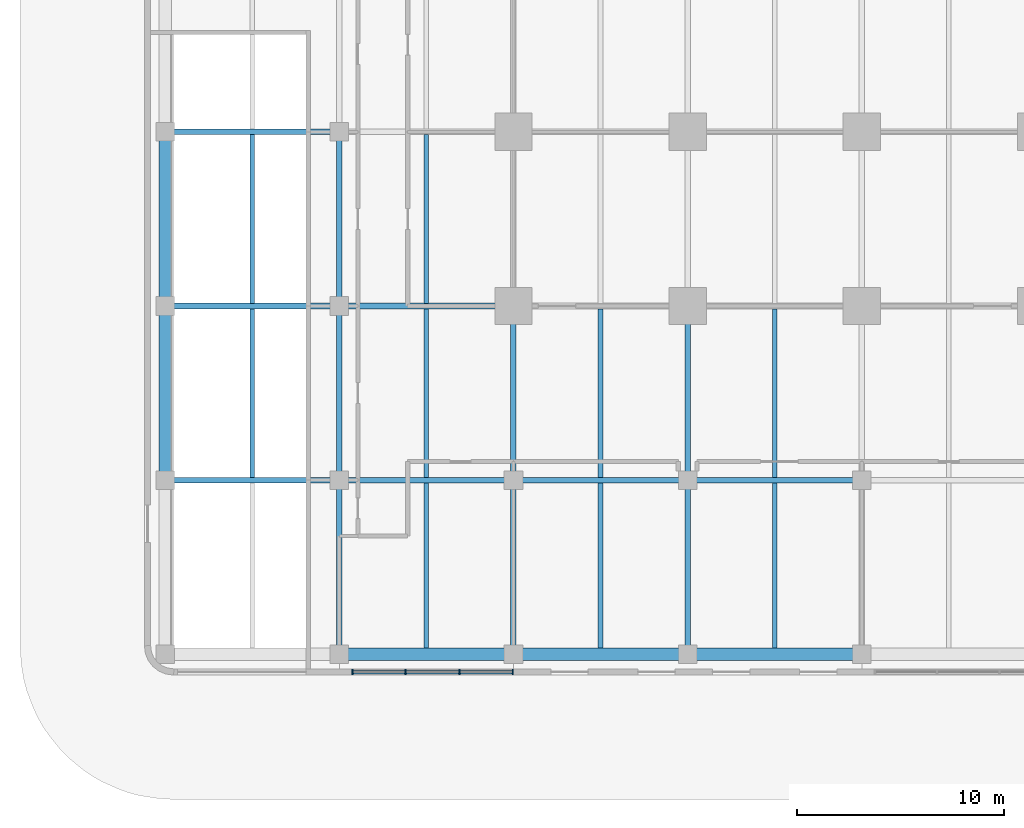
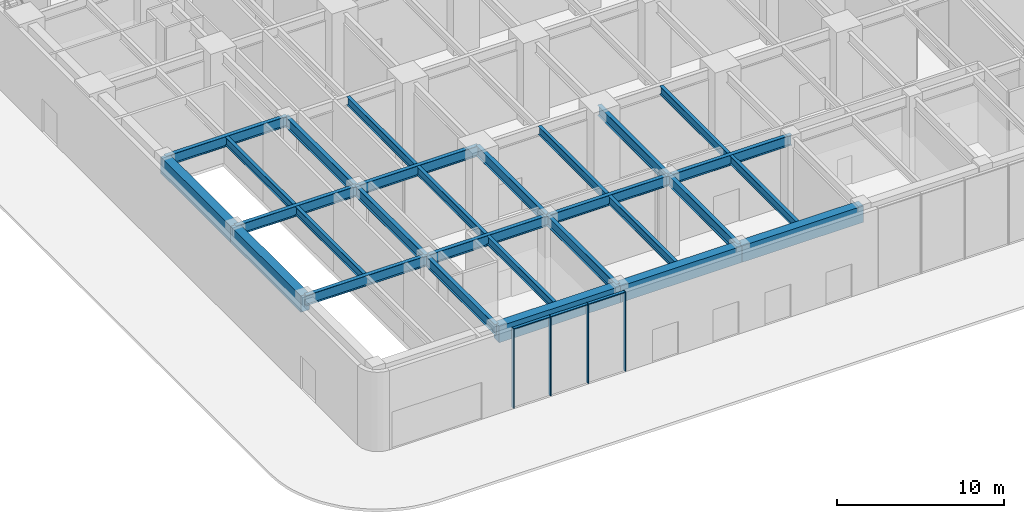
# One storey, part 2 of 21: 28 beams, 7 members, 1 element without a shape of its own.
"""IFC4 building model written with IfcOpenShell, lengths in metres."""

from ifc_helpers import new_model, si_unit, direction, frame, origin, origin_2d, place, context, subcontext, project, spatial, rectangle, i_section, extrude, material, material_profile, profile_set, type_object, element, aggregate, save


model = new_model("IFC4")

# Units and contexts
model_context = context("Model", 3, precision=1e-05, world=origin(), true_north=direction((0.0, 1.0)))
body_context = subcontext(model_context, "Body", "Model", "MODEL_VIEW")
ifc_project = project(units=[si_unit("LENGTHUNIT", "METRE"), si_unit("AREAUNIT", "SQUARE_METRE"), si_unit("VOLUMEUNIT", "CUBIC_METRE"), si_unit("PLANEANGLEUNIT", "RADIAN"), si_unit("MASSUNIT", "GRAM", prefix="KILO")], contexts=[model_context])

# Site, building, storey
site_placement = place(None, origin())
site = spatial("IfcSite", under=ifc_project, at=site_placement, CompositionType="ELEMENT")
building_placement = place(site_placement, origin())
building = spatial("IfcBuilding", under=site, at=building_placement, Name="Torre Alcanfor", CompositionType="ELEMENT")
storey_placement = place(building_placement, origin())
storey = spatial("IfcBuildingStorey", under=building, at=storey_placement, Name="L00", CompositionType="ELEMENT", Elevation=0.0)

# Curtain wall, members
ifc_material_1 = material(Name="Aluminium and glass", Category="aluminium")
curtain_wall_type = type_object("IfcCurtainWallType", Name="CW-C ground floor storefront glazing", PredefinedType="NOTDEFINED", material=ifc_material_1)
curtain_wall_placement = place(storey_placement, origin())
curtain_wall = element("IfcCurtainWall", 1, at=curtain_wall_placement, inside=storey, type_object=curtain_wall_type, Name="Curtain wall CW-C L00 S 2", PredefinedType="NOTDEFINED")
ifc_material_2 = material(Name="Extruded aluminium", Category="aluminium")
ifc_material_profile_1 = material_profile(ifc_material_2, rectangle(XDim=0.25, YDim=0.06494140625, at=origin_2d()), Name="CW-C mullion 65x250")
ifc_profile_set_1 = profile_set([ifc_material_profile_1], Name="Extruded aluminium")
member_type_1 = type_object("IfcMemberType", Name="CW-C mullion 65x250", PredefinedType="MULLION", material=ifc_profile_set_1)
member_1_placement = place(storey_placement, frame((9.032470703125, -17.64990234375, 0.0), z_axis=(0.0, 0.0, 1.0), x_axis=(0.0, 1.0, 0.0)))
member_1 = element("IfcMember", 2, at=member_1_placement, type_object=member_type_1, Name="CW-C mullion 1", PredefinedType="MULLION", context=body_context, shape_type="SweptSolid", body=[
    extrude(rectangle(XDim=0.25, YDim=0.06494140625, at=origin_2d()), origin(), (0.0, 0.0, 1.0), 5.800048828125),
])
member_2_placement = place(storey_placement, frame((11.60009765625, -17.64990234375, 0.0), z_axis=(0.0, 0.0, 1.0), x_axis=(0.0, 1.0, 0.0)))
member_2 = element("IfcMember", 3, at=member_2_placement, type_object=member_type_1, Name="CW-C mullion 2", PredefinedType="MULLION", context=body_context, shape_type="SweptSolid", body=[
    extrude(rectangle(XDim=0.25, YDim=0.06494140625, at=origin_2d()), origin(), (0.0, 0.0, 1.0), 5.800048828125),
])
member_3_placement = place(storey_placement, frame((14.199951171875, -17.64990234375, 0.0), z_axis=(0.0, 0.0, 1.0), x_axis=(0.0, 1.0, 0.0)))
member_3 = element("IfcMember", 4, at=member_3_placement, type_object=member_type_1, Name="CW-C mullion 3", PredefinedType="MULLION", context=body_context, shape_type="SweptSolid", body=[
    extrude(rectangle(XDim=0.25, YDim=0.06494140625, at=origin_2d()), origin(), (0.0, 0.0, 1.0), 5.800048828125),
])
member_4_placement = place(storey_placement, frame((16.767578125, -17.64990234375, 0.0), z_axis=(0.0, 0.0, 1.0), x_axis=(0.0, 1.0, 0.0)))
member_4 = element("IfcMember", 5, at=member_4_placement, type_object=member_type_1, Name="CW-C mullion 4", PredefinedType="MULLION", context=body_context, shape_type="SweptSolid", body=[
    extrude(rectangle(XDim=0.25, YDim=0.06494140625, at=origin_2d()), origin(), (0.0, 0.0, 1.0), 5.800048828125),
])
ifc_material_3 = material(Name="Extruded aluminium", Category="aluminium")
ifc_material_profile_2 = material_profile(ifc_material_3, rectangle(XDim=0.199951171875, YDim=0.06494140625, at=origin_2d()), Name="CW-C transom 200x65")
ifc_profile_set_2 = profile_set([ifc_material_profile_2], Name="Extruded aluminium")
member_type_2 = type_object("IfcMemberType", Name="CW-C transom 65x200", PredefinedType="USERDEFINED", material=ifc_profile_set_2)
member_5_placement = place(storey_placement, frame((9.06494140625, -17.64990234375, 5.767578125), z_axis=(1.0, 0.0, 0.0), x_axis=(0.0, 1.0, 0.0)))
member_5 = element("IfcMember", 6, at=member_5_placement, type_object=member_type_2, Name="CW-C transom 1.2", ObjectType="TRANSOM", PredefinedType="USERDEFINED", context=body_context, shape_type="SweptSolid", body=[
    extrude(rectangle(XDim=0.199951171875, YDim=0.06494140625, at=origin_2d()), origin(), (0.0, 0.0, 1.0), 2.50244140625),
])
member_6_placement = place(storey_placement, frame((11.632568359375, -17.64990234375, 5.767578125), z_axis=(1.0, 0.0, 0.0), x_axis=(0.0, 1.0, 0.0)))
member_6 = element("IfcMember", 7, at=member_6_placement, type_object=member_type_2, Name="CW-C transom 2.2", ObjectType="TRANSOM", PredefinedType="USERDEFINED", context=body_context, shape_type="SweptSolid", body=[
    extrude(rectangle(XDim=0.199951171875, YDim=0.06494140625, at=origin_2d()), origin(), (0.0, 0.0, 1.0), 2.534912109375),
])
member_7_placement = place(storey_placement, frame((14.232421875, -17.64990234375, 5.767578125), z_axis=(1.0, 0.0, 0.0), x_axis=(0.0, 1.0, 0.0)))
member_7 = element("IfcMember", 8, at=member_7_placement, type_object=member_type_2, Name="CW-C transom 3.2", ObjectType="TRANSOM", PredefinedType="USERDEFINED", context=body_context, shape_type="SweptSolid", body=[
    extrude(rectangle(XDim=0.199951171875, YDim=0.06494140625, at=origin_2d()), origin(), (0.0, 0.0, 1.0), 2.502685546875),
])
aggregate(curtain_wall, [member_1, member_2, member_3, member_4, member_5, member_6, member_7])

# Beams
ifc_material_4 = material(Name="Steel ASTM A992 Grade 50", Category="steel")
ifc_material_profile_3 = material_profile(ifc_material_4, i_section(OverallWidth=0.2666015625, OverallDepth=0.7568359375, WebThickness=0.013916015625, FlangeThickness=0.019287109375, at=origin_2d()), Name="W30x108")
ifc_profile_set_3 = profile_set([ifc_material_profile_3], Name="Steel ASTM A992 Grade 50")
beam_type_1 = type_object("IfcBeamType", Name="Girder W30x108", PredefinedType="BEAM", material=ifc_profile_set_3)
beam_1_placement = place(storey_placement, frame((0.0, -8.39990234375, 5.421630859375), z_axis=(1.0, 0.0, 0.0), x_axis=(0.0, 1.0, 0.0)))
element("IfcBeam", 9, at=beam_1_placement, inside=storey, type_object=beam_type_1, Name="Beam 1B-2B under L01", PredefinedType="BEAM", context=body_context, shape_type="SweptSolid", body=[
    extrude(i_section(OverallWidth=0.2666015625, OverallDepth=0.7568359375, WebThickness=0.013916015625, FlangeThickness=0.019287109375, at=origin_2d()), origin(), (0.0, 0.0, 1.0), 8.39990234375),
])
beam_2_placement = place(storey_placement, frame((8.39990234375, -8.39990234375, 5.421630859375), z_axis=(1.0, 0.0, 0.0), x_axis=(0.0, 1.0, 0.0)))
element("IfcBeam", 10, at=beam_2_placement, inside=storey, type_object=beam_type_1, Name="Beam 2B-3B under L01", PredefinedType="BEAM", context=body_context, shape_type="SweptSolid", body=[
    extrude(i_section(OverallWidth=0.2666015625, OverallDepth=0.7568359375, WebThickness=0.013916015625, FlangeThickness=0.019287109375, at=origin_2d()), origin(), (0.0, 0.0, 1.0), 8.400146484375),
])
beam_3_placement = place(storey_placement, frame((16.800048828125, -8.39990234375, 5.421630859375), z_axis=(1.0, 0.0, 0.0), x_axis=(0.0, 1.0, 0.0)))
element("IfcBeam", 11, at=beam_3_placement, inside=storey, type_object=beam_type_1, Name="Beam 3B-4B under L01", PredefinedType="BEAM", context=body_context, shape_type="SweptSolid", body=[
    extrude(i_section(OverallWidth=0.2666015625, OverallDepth=0.7568359375, WebThickness=0.013916015625, FlangeThickness=0.019287109375, at=origin_2d()), origin(), (0.0, 0.0, 1.0), 8.39990234375),
])
beam_4_placement = place(storey_placement, frame((25.199951171875, -8.39990234375, 5.421630859375), z_axis=(1.0, 0.0, 0.0), x_axis=(0.0, 1.0, 0.0)))
element("IfcBeam", 12, at=beam_4_placement, inside=storey, type_object=beam_type_1, Name="Beam 4B-5B under L01", PredefinedType="BEAM", context=body_context, shape_type="SweptSolid", body=[
    extrude(i_section(OverallWidth=0.2666015625, OverallDepth=0.7568359375, WebThickness=0.013916015625, FlangeThickness=0.019287109375, at=origin_2d()), origin(), (0.0, 0.0, 1.0), 8.400146484375),
])
beam_5_placement = place(storey_placement, frame((0.0, 0.0, 5.421630859375), z_axis=(1.0, 0.0, 0.0), x_axis=(0.0, 1.0, 0.0)))
element("IfcBeam", 13, at=beam_5_placement, inside=storey, type_object=beam_type_1, Name="Beam 1C-2C under L01", PredefinedType="BEAM", context=body_context, shape_type="SweptSolid", body=[
    extrude(i_section(OverallWidth=0.2666015625, OverallDepth=0.7568359375, WebThickness=0.013916015625, FlangeThickness=0.019287109375, at=origin_2d()), origin(), (0.0, 0.0, 1.0), 8.39990234375),
])
beam_6_placement = place(storey_placement, frame((8.39990234375, 0.0, 5.421630859375), z_axis=(1.0, 0.0, 0.0), x_axis=(0.0, 1.0, 0.0)))
element("IfcBeam", 14, at=beam_6_placement, inside=storey, type_object=beam_type_1, Name="Beam 2C-3C under L01", PredefinedType="BEAM", context=body_context, shape_type="SweptSolid", body=[
    extrude(i_section(OverallWidth=0.2666015625, OverallDepth=0.7568359375, WebThickness=0.013916015625, FlangeThickness=0.019287109375, at=origin_2d()), origin(), (0.0, 0.0, 1.0), 8.400146484375),
])
beam_7_placement = place(storey_placement, frame((0.0, 8.39990234375, 5.421630859375), z_axis=(1.0, 0.0, 0.0), x_axis=(0.0, 1.0, 0.0)))
element("IfcBeam", 15, at=beam_7_placement, inside=storey, type_object=beam_type_1, Name="Beam 1D-2D under L01", PredefinedType="BEAM", context=body_context, shape_type="SweptSolid", body=[
    extrude(i_section(OverallWidth=0.2666015625, OverallDepth=0.7568359375, WebThickness=0.013916015625, FlangeThickness=0.019287109375, at=origin_2d()), origin(), (0.0, 0.0, 1.0), 8.39990234375),
])
beam_8_placement = place(storey_placement, frame((8.39990234375, -16.800048828125, 5.421630859375), z_axis=(0.0, 1.0, 0.0), x_axis=(-1.0, 0.0, 0.0)))
element("IfcBeam", 16, at=beam_8_placement, inside=storey, type_object=beam_type_1, Name="Beam 2A-2B under L01", PredefinedType="BEAM", context=body_context, shape_type="SweptSolid", body=[
    extrude(i_section(OverallWidth=0.2666015625, OverallDepth=0.7568359375, WebThickness=0.013916015625, FlangeThickness=0.019287109375, at=origin_2d()), origin(), (0.0, 0.0, 1.0), 8.400146484375),
])
for number, where, z_axis, x_axis, name in (
    (17, (8.39990234375, -8.39990234375, 5.421630859375), (0.0, 1.0, 0.0), (-1.0, 0.0, 0.0), "Beam 2B-2C under L01"),
    (18, (8.39990234375, 0.0, 5.421630859375), (0.0, 1.0, 0.0), (-1.0, 0.0, 0.0), "Beam 2C-2D under L01"),
):
    element("IfcBeam", number, at=place(storey_placement, frame(where, z_axis=z_axis, x_axis=x_axis)), inside=storey, type_object=beam_type_1, Name=name, PredefinedType="BEAM", context=body_context, shape_type="SweptSolid", body=[
        extrude(i_section(OverallWidth=0.2666015625, OverallDepth=0.7568359375, WebThickness=0.013916015625, FlangeThickness=0.019287109375, at=origin_2d()), origin(), (0.0, 0.0, 1.0), 8.39990234375),
    ])
beam_9_placement = place(storey_placement, frame((16.800048828125, -16.800048828125, 5.421630859375), z_axis=(0.0, 1.0, 0.0), x_axis=(-1.0, 0.0, 0.0)))
element("IfcBeam", 19, at=beam_9_placement, inside=storey, type_object=beam_type_1, Name="Beam 3A-3B under L01", PredefinedType="BEAM", context=body_context, shape_type="SweptSolid", body=[
    extrude(i_section(OverallWidth=0.2666015625, OverallDepth=0.7568359375, WebThickness=0.013916015625, FlangeThickness=0.019287109375, at=origin_2d()), origin(), (0.0, 0.0, 1.0), 8.400146484375),
])
beam_10_placement = place(storey_placement, frame((16.800048828125, -8.39990234375, 5.421630859375), z_axis=(0.0, 1.0, 0.0), x_axis=(-1.0, 0.0, 0.0)))
element("IfcBeam", 20, at=beam_10_placement, inside=storey, type_object=beam_type_1, Name="Beam 3B-3C under L01", PredefinedType="BEAM", context=body_context, shape_type="SweptSolid", body=[
    extrude(i_section(OverallWidth=0.2666015625, OverallDepth=0.7568359375, WebThickness=0.013916015625, FlangeThickness=0.019287109375, at=origin_2d()), origin(), (0.0, 0.0, 1.0), 8.39990234375),
])
beam_11_placement = place(storey_placement, frame((25.199951171875, -16.800048828125, 5.421630859375), z_axis=(0.0, 1.0, 0.0), x_axis=(-1.0, 0.0, 0.0)))
element("IfcBeam", 21, at=beam_11_placement, inside=storey, type_object=beam_type_1, Name="Beam 4A-4B under L01", PredefinedType="BEAM", context=body_context, shape_type="SweptSolid", body=[
    extrude(i_section(OverallWidth=0.2666015625, OverallDepth=0.7568359375, WebThickness=0.013916015625, FlangeThickness=0.019287109375, at=origin_2d()), origin(), (0.0, 0.0, 1.0), 8.400146484375),
])
beam_12_placement = place(storey_placement, frame((25.199951171875, -8.39990234375, 5.421630859375), z_axis=(0.0, 1.0, 0.0), x_axis=(-1.0, 0.0, 0.0)))
element("IfcBeam", 22, at=beam_12_placement, inside=storey, type_object=beam_type_1, Name="Beam 4B-4C under L01", PredefinedType="BEAM", context=body_context, shape_type="SweptSolid", body=[
    extrude(i_section(OverallWidth=0.2666015625, OverallDepth=0.7568359375, WebThickness=0.013916015625, FlangeThickness=0.019287109375, at=origin_2d()), origin(), (0.0, 0.0, 1.0), 8.39990234375),
])
ifc_material_5 = material(Name="Concrete f'c 70 MPa", Category="concrete")
ifc_material_profile_4 = material_profile(ifc_material_5, rectangle(XDim=0.60009765625, YDim=1.199951171875, at=origin_2d()), Name="600x1200")
ifc_profile_set_4 = profile_set([ifc_material_profile_4], Name="Concrete f'c 70 MPa")
beam_type_2 = type_object("IfcBeamType", Name="RC perimeter beam 600x1200", PredefinedType="BEAM", material=ifc_profile_set_4)
beam_13_placement = place(storey_placement, frame((8.39990234375, -16.800048828125, 5.199951171875), z_axis=(1.0, 0.0, 0.0), x_axis=(0.0, 1.0, 0.0)))
element("IfcBeam", 23, at=beam_13_placement, inside=storey, type_object=beam_type_2, Name="Beam 2A-3A under L01", PredefinedType="BEAM", context=body_context, shape_type="SweptSolid", body=[
    extrude(rectangle(XDim=0.60009765625, YDim=1.199951171875, at=origin_2d()), origin(), (0.0, 0.0, 1.0), 8.400146484375),
])
beam_14_placement = place(storey_placement, frame((16.800048828125, -16.800048828125, 5.199951171875), z_axis=(1.0, 0.0, 0.0), x_axis=(0.0, 1.0, 0.0)))
element("IfcBeam", 24, at=beam_14_placement, inside=storey, type_object=beam_type_2, Name="Beam 3A-4A under L01", PredefinedType="BEAM", context=body_context, shape_type="SweptSolid", body=[
    extrude(rectangle(XDim=0.60009765625, YDim=1.199951171875, at=origin_2d()), origin(), (0.0, 0.0, 1.0), 8.39990234375),
])
beam_15_placement = place(storey_placement, frame((25.199951171875, -16.800048828125, 5.199951171875), z_axis=(1.0, 0.0, 0.0), x_axis=(0.0, 1.0, 0.0)))
element("IfcBeam", 25, at=beam_15_placement, inside=storey, type_object=beam_type_2, Name="Beam 4A-5A under L01", PredefinedType="BEAM", context=body_context, shape_type="SweptSolid", body=[
    extrude(rectangle(XDim=0.60009765625, YDim=1.199951171875, at=origin_2d()), origin(), (0.0, 0.0, 1.0), 8.400146484375),
])
for number, where, z_axis, x_axis, name in (
    (26, (0.0, -8.39990234375, 5.199951171875), (0.0, 1.0, 0.0), (-1.0, 0.0, 0.0), "Beam 1B-1C under L01"),
    (27, (0.0, 0.0, 5.199951171875), (0.0, 1.0, 0.0), (-1.0, 0.0, 0.0), "Beam 1C-1D under L01"),
):
    element("IfcBeam", number, at=place(storey_placement, frame(where, z_axis=z_axis, x_axis=x_axis)), inside=storey, type_object=beam_type_2, Name=name, PredefinedType="BEAM", context=body_context, shape_type="SweptSolid", body=[
        extrude(rectangle(XDim=0.60009765625, YDim=1.199951171875, at=origin_2d()), origin(), (0.0, 0.0, 1.0), 8.39990234375),
    ])
ifc_material_6 = material(Name="Steel ASTM A992 Grade 50", Category="steel")
ifc_material_profile_5 = material_profile(ifc_material_6, i_section(OverallWidth=0.22900390625, OverallDepth=0.612060546875, WebThickness=0.011962890625, FlangeThickness=0.01953125, at=origin_2d()), Name="W24x84")
ifc_profile_set_5 = profile_set([ifc_material_profile_5], Name="Steel ASTM A992 Grade 50")
beam_type_3 = type_object("IfcBeamType", Name="Secondary beam W24x84", PredefinedType="BEAM", material=ifc_profile_set_5)
for number, where, z_axis, x_axis, name in (
    (28, (4.199951171875, -8.26708984375, 5.493896484375), (0.0, 1.0, 0.0), (-1.0, 0.0, 0.0), "Beam 4_2B-4_2C under L01"),
    (29, (4.199951171875, 0.133056640625, 5.493896484375), (0.0, 1.0, 0.0), (-1.0, 0.0, 0.0), "Beam 4_2C-4_2D under L01"),
):
    element("IfcBeam", number, at=place(storey_placement, frame(where, z_axis=z_axis, x_axis=x_axis)), inside=storey, type_object=beam_type_3, Name=name, PredefinedType="BEAM", context=body_context, shape_type="SweptSolid", body=[
        extrude(i_section(OverallWidth=0.22900390625, OverallDepth=0.612060546875, WebThickness=0.011962890625, FlangeThickness=0.01953125, at=origin_2d()), origin(), (0.0, 0.0, 1.0), 8.134033203125),
    ])
beam_16_placement = place(storey_placement, frame((12.60009765625, -16.5, 5.493896484375), z_axis=(0.0, 1.0, 0.0), x_axis=(-1.0, 0.0, 0.0)))
element("IfcBeam", 30, at=beam_16_placement, inside=storey, type_object=beam_type_3, Name="Beam 12_6A-12_6B under L01", PredefinedType="BEAM", context=body_context, shape_type="SweptSolid", body=[
    extrude(i_section(OverallWidth=0.22900390625, OverallDepth=0.612060546875, WebThickness=0.011962890625, FlangeThickness=0.01953125, at=origin_2d()), origin(), (0.0, 0.0, 1.0), 7.967041015625),
])
for number, where, z_axis, x_axis, name in (
    (31, (12.60009765625, -8.26708984375, 5.493896484375), (0.0, 1.0, 0.0), (-1.0, 0.0, 0.0), "Beam 12_6B-12_6C under L01"),
    (32, (12.60009765625, 0.133056640625, 5.493896484375), (0.0, 1.0, 0.0), (-1.0, 0.0, 0.0), "Beam 12_6C-12_6D under L01"),
):
    element("IfcBeam", number, at=place(storey_placement, frame(where, z_axis=z_axis, x_axis=x_axis)), inside=storey, type_object=beam_type_3, Name=name, PredefinedType="BEAM", context=body_context, shape_type="SweptSolid", body=[
        extrude(i_section(OverallWidth=0.22900390625, OverallDepth=0.612060546875, WebThickness=0.011962890625, FlangeThickness=0.01953125, at=origin_2d()), origin(), (0.0, 0.0, 1.0), 8.134033203125),
    ])
beam_17_placement = place(storey_placement, frame((21.0, -16.5, 5.493896484375), z_axis=(0.0, 1.0, 0.0), x_axis=(-1.0, 0.0, 0.0)))
element("IfcBeam", 33, at=beam_17_placement, inside=storey, type_object=beam_type_3, Name="Beam 21A-21B under L01", PredefinedType="BEAM", context=body_context, shape_type="SweptSolid", body=[
    extrude(i_section(OverallWidth=0.22900390625, OverallDepth=0.612060546875, WebThickness=0.011962890625, FlangeThickness=0.01953125, at=origin_2d()), origin(), (0.0, 0.0, 1.0), 7.967041015625),
])
beam_18_placement = place(storey_placement, frame((21.0, -8.26708984375, 5.493896484375), z_axis=(0.0, 1.0, 0.0), x_axis=(-1.0, 0.0, 0.0)))
element("IfcBeam", 34, at=beam_18_placement, inside=storey, type_object=beam_type_3, Name="Beam 21B-21C under L01", PredefinedType="BEAM", context=body_context, shape_type="SweptSolid", body=[
    extrude(i_section(OverallWidth=0.22900390625, OverallDepth=0.612060546875, WebThickness=0.011962890625, FlangeThickness=0.01953125, at=origin_2d()), origin(), (0.0, 0.0, 1.0), 8.134033203125),
])
beam_19_placement = place(storey_placement, frame((29.39990234375, -16.5, 5.493896484375), z_axis=(0.0, 1.0, 0.0), x_axis=(-1.0, 0.0, 0.0)))
element("IfcBeam", 35, at=beam_19_placement, inside=storey, type_object=beam_type_3, Name="Beam 29_4A-29_4B under L01", PredefinedType="BEAM", context=body_context, shape_type="SweptSolid", body=[
    extrude(i_section(OverallWidth=0.22900390625, OverallDepth=0.612060546875, WebThickness=0.011962890625, FlangeThickness=0.01953125, at=origin_2d()), origin(), (0.0, 0.0, 1.0), 7.967041015625),
])
beam_20_placement = place(storey_placement, frame((29.39990234375, -8.26708984375, 5.493896484375), z_axis=(0.0, 1.0, 0.0), x_axis=(-1.0, 0.0, 0.0)))
element("IfcBeam", 36, at=beam_20_placement, inside=storey, type_object=beam_type_3, Name="Beam 29_4B-29_4C under L01", PredefinedType="BEAM", context=body_context, shape_type="SweptSolid", body=[
    extrude(i_section(OverallWidth=0.22900390625, OverallDepth=0.612060546875, WebThickness=0.011962890625, FlangeThickness=0.01953125, at=origin_2d()), origin(), (0.0, 0.0, 1.0), 8.134033203125),
])

save(model, "model.ifc")
